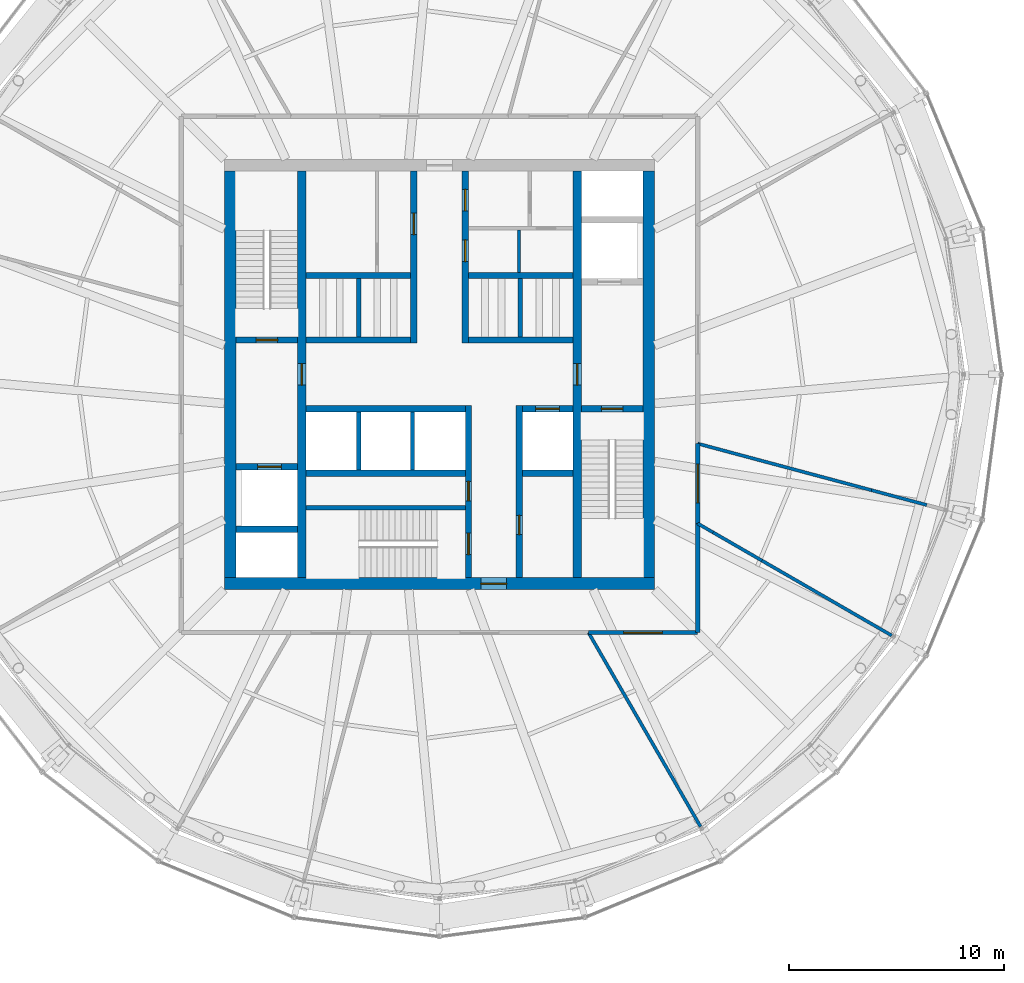
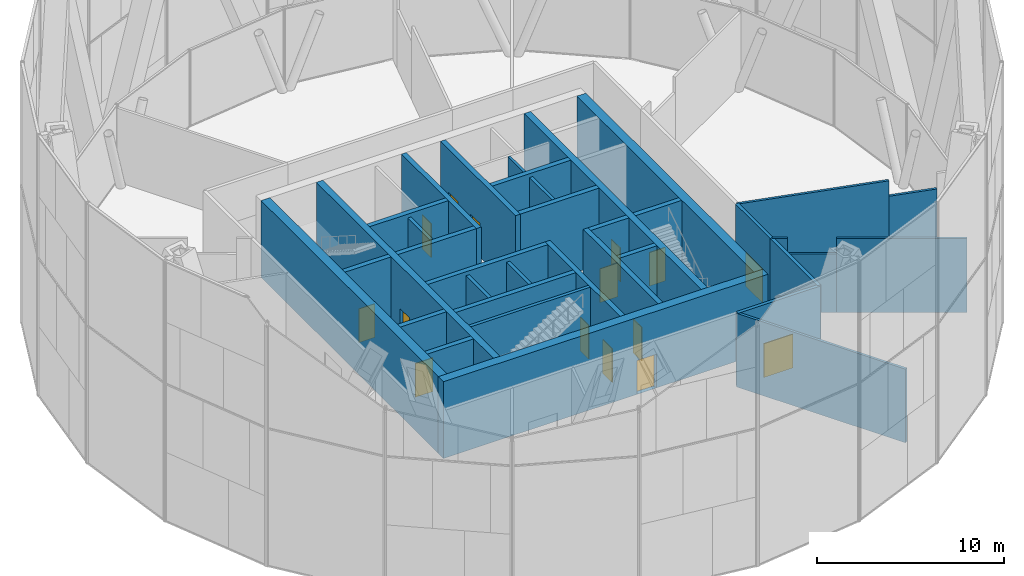
# One storey, part 14 of 17: 36 walls, 15 doors, 15 openings.
"""IFC4 building model written with IfcOpenShell, lengths in metres."""

from ifc_helpers import new_model, si_unit, direction, frame, frame_2d, origin, place, context, subcontext, project, spatial, rectangle, extrude, material, layer, layer_set, type_object, element, fill, save


model = new_model("IFC4")

# Units and contexts
model_context = context("Model", 3, precision=1e-05, world=origin(), true_north=direction((0.0, 1.0)))
body_context = subcontext(model_context, "Body", "Model", "MODEL_VIEW")
ifc_project = project(units=[si_unit("LENGTHUNIT", "METRE"), si_unit("AREAUNIT", "SQUARE_METRE"), si_unit("VOLUMEUNIT", "CUBIC_METRE"), si_unit("PLANEANGLEUNIT", "RADIAN"), si_unit("MASSUNIT", "GRAM", prefix="KILO")], contexts=[model_context])

# Site, building, storey
site_placement = place(None, origin())
site = spatial("IfcSite", under=ifc_project, at=site_placement, CompositionType="ELEMENT")
building_placement = place(site_placement, origin())
building = spatial("IfcBuilding", under=site, at=building_placement, Name="Golbaran Civic Tower", CompositionType="ELEMENT")
storey_placement = place(building_placement, frame((0.0, 0.0, 150.0)))
storey = spatial("IfcBuildingStorey", under=building, at=storey_placement, Name="L36", CompositionType="ELEMENT", Elevation=150.0)

# Wall
ifc_material_1 = material(Name="Concrete block", Category="concrete")
ifc_layer_1 = layer(ifc_material_1, 0.14990234375, Name="Concrete block")
ifc_layer_set_1 = layer_set([ifc_layer_1], Name="Concrete block")
wall_type_1 = type_object("IfcWallType", Name="BLOCKWORK PARTITION 150", PredefinedType="PARTITIONING", material=ifc_layer_set_1)
wall_1_placement = place(storey_placement, frame((3.699951171875, 4.75, 0.0), z_axis=(0.0, 0.0, 1.0), x_axis=(0.0, 1.0, 0.0)))
element("IfcWall", 1, at=wall_1_placement, inside=storey, type_object=wall_type_1, Name="Toilet block partition TN2 L36", PredefinedType="PARTITIONING", context=body_context, shape_type="SweptSolid", body=[
    extrude(rectangle(XDim=1.97509765625, YDim=0.14990234375, at=frame_2d((0.987548828125, 0.0))), origin(), (0.0, 0.0, 1.0), 4.75),
])

# Wall, opening, door
ifc_material_2 = material(Name="Concrete C50/60", Category="concrete")
ifc_layer_2 = layer(ifc_material_2, 0.39990234375, Name="Concrete C50/60")
ifc_layer_set_2 = layer_set([ifc_layer_2], Name="Concrete C50/60")
wall_type_2 = type_object("IfcWallType", Name="CORE WALL CONCRETE 400", PredefinedType="SOLIDWALL", material=ifc_layer_set_2)
wall_2_placement = place(storey_placement, frame((-6.39990234375, -9.449951171875, 0.0), z_axis=(0.0, 0.0, 1.0), x_axis=(0.0, 1.0, 0.0)))
wall_2 = element("IfcWall", 2, at=wall_2_placement, inside=storey, type_object=wall_type_2, Name="Core wall IW L36", PredefinedType="SOLIDWALL", context=body_context, shape_type="SweptSolid", body=[
    extrude(rectangle(XDim=18.89990234375, YDim=0.39990234375, at=frame_2d((9.449951171875, 0.0))), origin(), (0.0, 0.0, 1.0), 5.0),
])
opening_1_placement = place(wall_2_placement, frame((8.949951171875, 0.0, 0.0)))
opening_1 = element("IfcOpeningElement", 3, at=opening_1_placement, cuts=wall_2, Name="Opening L36.FL1", PredefinedType="OPENING", context=body_context, shape_type="SweptSolid", body=[
    extrude(rectangle(XDim=1.0, YDim=2.199951171875, at=frame_2d((0.5, 1.10009765625))), frame((0.0, 0.2099609375, 0.0), z_axis=(0.0, -1.0, 0.0), x_axis=(1.0, 0.0, 0.0)), (0.0, 0.0, 1.0), 0.419921875),
])
ifc_material_3 = material(Name="Timber door set in steel frame", Category="steel")
door_type_1 = type_object("IfcDoorType", Name="STAIR DOOR 1000x2200", OperationType="SINGLE_SWING_LEFT", PredefinedType="DOOR", material=ifc_material_3)
door_1_placement = place(opening_1_placement, origin())
door_1 = element("IfcDoor", 4, at=door_1_placement, inside=storey, type_object=door_type_1, Name="Fire-fighting lobby FL1 door", OperationType="SINGLE_SWING_LEFT", OverallHeight=2.199951171875, OverallWidth=1.0, PredefinedType="DOOR", context=body_context, shape_type="SweptSolid", body=[
    extrude(rectangle(XDim=1.0, YDim=2.199951171875, at=frame_2d((0.5, 1.10009765625))), frame((0.0, 0.02490234375, 0.0), z_axis=(0.0, -1.0, 0.0), x_axis=(1.0, 0.0, 0.0)), (0.0, 0.0, 1.0), 0.050048828125),
])
fill(opening_1, door_1)

wall_3_placement = place(storey_placement, frame((6.39990234375, 9.449951171875, 0.0), z_axis=(0.0, 0.0, 1.0), x_axis=(0.0, -1.0, 0.0)))
wall_3 = element("IfcWall", 5, at=wall_3_placement, inside=storey, type_object=wall_type_2, Name="Core wall IE L36", PredefinedType="SOLIDWALL", context=body_context, shape_type="SweptSolid", body=[
    extrude(rectangle(XDim=18.89990234375, YDim=0.39990234375, at=frame_2d((9.449951171875, 0.0))), origin(), (0.0, 0.0, 1.0), 5.0),
])
opening_2_placement = place(wall_3_placement, frame((8.949951171875, 0.0, 0.0)))
opening_2 = element("IfcOpeningElement", 6, at=opening_2_placement, cuts=wall_3, Name="Opening L36.FL2", PredefinedType="OPENING", context=body_context, shape_type="SweptSolid", body=[
    extrude(rectangle(XDim=1.0, YDim=2.199951171875, at=frame_2d((0.5, 1.10009765625))), frame((0.0, 0.2099609375, 0.0), z_axis=(0.0, -1.0, 0.0), x_axis=(1.0, 0.0, 0.0)), (0.0, 0.0, 1.0), 0.419921875),
])
door_2_placement = place(opening_2_placement, origin())
door_2 = element("IfcDoor", 7, at=door_2_placement, inside=storey, type_object=door_type_1, Name="Fire-fighting lobby FL2 door", OperationType="SINGLE_SWING_RIGHT", OverallHeight=2.199951171875, OverallWidth=1.0, PredefinedType="DOOR", context=body_context, shape_type="SweptSolid", body=[
    extrude(rectangle(XDim=1.0, YDim=2.199951171875, at=frame_2d((0.5, 1.10009765625))), frame((0.0, 0.02490234375, 0.0), z_axis=(0.0, -1.0, 0.0), x_axis=(1.0, 0.0, 0.0)), (0.0, 0.0, 1.0), 0.050048828125),
])
fill(opening_2, door_2)

ifc_layer_3 = layer(ifc_material_2, 0.550048828125, Name="Concrete C50/60")
ifc_layer_set_3 = layer_set([ifc_layer_3], Name="Concrete C50/60")
wall_type_3 = type_object("IfcWallType", Name="CORE WALL CONCRETE 550", PredefinedType="SOLIDWALL", material=ifc_layer_set_3)
wall_4_placement = place(storey_placement, frame((10.0, -9.72509765625, 0.0), z_axis=(0.0, 0.0, 1.0), x_axis=(-1.0, 0.0, 0.0)))
wall_4 = element("IfcWall", 8, at=wall_4_placement, inside=storey, type_object=wall_type_3, Name="Core wall CS L36", PredefinedType="SOLIDWALL", context=body_context, shape_type="SweptSolid", body=[
    extrude(rectangle(XDim=20.0, YDim=0.550048828125, at=frame_2d((10.0, 0.0))), origin(), (0.0, 0.0, 1.0), 5.0),
])
opening_3_placement = place(wall_4_placement, frame((6.875, 0.0, 0.0)))
opening_3 = element("IfcOpeningElement", 9, at=opening_3_placement, cuts=wall_4, Name="Opening L36.CS", PredefinedType="OPENING", context=body_context, shape_type="SweptSolid", body=[
    extrude(rectangle(XDim=1.199951171875, YDim=2.199951171875, at=frame_2d((0.60009765625, 1.10009765625))), frame((0.0, 0.284912109375, 0.0), z_axis=(0.0, -1.0, 0.0), x_axis=(1.0, 0.0, 0.0)), (0.0, 0.0, 1.0), 0.570068359375),
])
door_type_2 = type_object("IfcDoorType", Name="CORE DOOR 1200x2200", OperationType="DOUBLE_DOOR_SINGLE_SWING", PredefinedType="DOOR", material=ifc_material_3)
door_3_placement = place(opening_3_placement, origin())
door_3 = element("IfcDoor", 10, at=door_3_placement, inside=storey, type_object=door_type_2, Name="Core door south", OperationType="DOUBLE_DOOR_SINGLE_SWING", OverallHeight=2.199951171875, OverallWidth=1.199951171875, PredefinedType="DOOR", context=body_context, shape_type="SweptSolid", body=[
    extrude(rectangle(XDim=1.199951171875, YDim=2.199951171875, at=frame_2d((0.60009765625, 1.10009765625))), frame((0.0, 0.02490234375, 0.0), z_axis=(0.0, -1.0, 0.0), x_axis=(1.0, 0.0, 0.0)), (0.0, 0.0, 1.0), 0.050048828125),
])
fill(opening_3, door_3)

# Walls
for number, where, z_axis, x_axis, name in (
    (11, (9.72509765625, -9.449951171875, 0.0), (0.0, 0.0, 1.0), (0.0, 1.0, 0.0), "Core wall CE L36"),
    (12, (-9.72509765625, 9.449951171875, 0.0), (0.0, 0.0, 1.0), (0.0, -1.0, 0.0), "Core wall CW L36"),
):
    element("IfcWall", number, at=place(storey_placement, frame(where, z_axis=z_axis, x_axis=x_axis)), inside=storey, type_object=wall_type_3, Name=name, PredefinedType="SOLIDWALL", context=body_context, shape_type="SweptSolid", body=[
        extrude(rectangle(XDim=18.89990234375, YDim=0.550048828125, at=frame_2d((9.449951171875, 0.0))), origin(), (0.0, 0.0, 1.0), 5.0),
    ])

# Wall, opening, door
ifc_material_4 = material(Name="Gypsum board on steel studs, fire-rated", Category="steel")
ifc_layer_4 = layer(ifc_material_4, 0.199951171875, Name="Gypsum board on steel studs, fire-rated")
ifc_layer_set_4 = layer_set([ifc_layer_4], Name="Gypsum board on steel studs, fire-rated")
wall_type_4 = type_object("IfcWallType", Name="CORRIDOR WALL 200", PredefinedType="PARTITIONING", material=ifc_layer_set_4)
wall_5_placement = place(storey_placement, frame((12.0, -6.92822265625, 0.0), z_axis=(0.0, 0.0, 1.0), x_axis=(0.0, 1.0, 0.0)))
wall_5 = element("IfcWall", 13, at=wall_5_placement, inside=storey, type_object=wall_type_4, Name="Corridor wall L36", PredefinedType="PARTITIONING", context=body_context, shape_type="SweptSolid", body=[
    extrude(rectangle(XDim=3.712890625, YDim=0.199951171875, at=frame_2d((1.8564453125, 0.0))), origin(), (0.0, 0.0, 1.0), 4.800048828125),
])
opening_4_placement = place(wall_5_placement, frame((0.956298828125, 0.0, 0.0)))
opening_4 = element("IfcOpeningElement", 14, at=opening_4_placement, cuts=wall_5, Name="Opening L36.02", PredefinedType="OPENING", context=body_context, shape_type="SweptSolid", body=[
    extrude(rectangle(XDim=1.800048828125, YDim=2.199951171875, at=frame_2d((0.89990234375, 1.10009765625))), frame((0.0, 0.10986328125, 0.0), z_axis=(0.0, -1.0, 0.0), x_axis=(1.0, 0.0, 0.0)), (0.0, 0.0, 1.0), 0.219970703125),
])
door_type_3 = type_object("IfcDoorType", Name="OFFICE DOUBLE DOOR 1800x2200", OperationType="DOUBLE_DOOR_SINGLE_SWING", PredefinedType="DOOR", material=ifc_material_3)
door_4_placement = place(opening_4_placement, origin())
door_4 = element("IfcDoor", 15, at=door_4_placement, inside=storey, type_object=door_type_3, Name="Refuge Area door L36", OperationType="DOUBLE_DOOR_SINGLE_SWING", OverallHeight=2.199951171875, OverallWidth=1.800048828125, PredefinedType="DOOR", context=body_context, shape_type="SweptSolid", body=[
    extrude(rectangle(XDim=1.800048828125, YDim=2.199951171875, at=frame_2d((0.89990234375, 1.10009765625))), frame((0.0, 0.02490234375, 0.0), z_axis=(0.0, -1.0, 0.0), x_axis=(1.0, 0.0, 0.0)), (0.0, 0.0, 1.0), 0.050048828125),
])
fill(opening_4, door_4)

wall_6_placement = place(storey_placement, frame((6.92822265625, -12.0, 0.0), z_axis=(0.0, 0.0, 1.0), x_axis=(1.0, 0.0, 0.0)))
wall_6 = element("IfcWall", 16, at=wall_6_placement, inside=storey, type_object=wall_type_4, Name="Corridor wall L36", PredefinedType="PARTITIONING", context=body_context, shape_type="SweptSolid", body=[
    extrude(rectangle(XDim=5.07177734375, YDim=0.199951171875, at=frame_2d((2.535888671875, 0.0))), origin(), (0.0, 0.0, 1.0), 4.800048828125),
])
opening_5_placement = place(wall_6_placement, frame((1.635986328125, 0.0, 0.0)))
opening_5 = element("IfcOpeningElement", 17, at=opening_5_placement, cuts=wall_6, Name="Opening L36.13", PredefinedType="OPENING", context=body_context, shape_type="SweptSolid", body=[
    extrude(rectangle(XDim=1.800048828125, YDim=2.199951171875, at=frame_2d((0.89990234375, 1.10009765625))), frame((0.0, 0.10986328125, 0.0), z_axis=(0.0, -1.0, 0.0), x_axis=(1.0, 0.0, 0.0)), (0.0, 0.0, 1.0), 0.219970703125),
])
door_5_placement = place(opening_5_placement, origin())
door_5 = element("IfcDoor", 18, at=door_5_placement, inside=storey, type_object=door_type_3, Name="Refuge Area door L36", OperationType="DOUBLE_DOOR_SINGLE_SWING", OverallHeight=2.199951171875, OverallWidth=1.800048828125, PredefinedType="DOOR", context=body_context, shape_type="SweptSolid", body=[
    extrude(rectangle(XDim=1.800048828125, YDim=2.199951171875, at=frame_2d((0.89990234375, 1.10009765625))), frame((0.0, 0.02490234375, 0.0), z_axis=(0.0, -1.0, 0.0), x_axis=(1.0, 0.0, 0.0)), (0.0, 0.0, 1.0), 0.050048828125),
])
fill(opening_5, door_5)

# Walls
wall_7_placement = place(storey_placement, frame((12.0, -12.0, 0.0), z_axis=(0.0, 0.0, 1.0), x_axis=(0.0, 1.0, 0.0)))
element("IfcWall", 19, at=wall_7_placement, inside=storey, type_object=wall_type_4, Name="Corridor wall L36", PredefinedType="PARTITIONING", context=body_context, shape_type="SweptSolid", body=[
    extrude(rectangle(XDim=5.07177734375, YDim=0.199951171875, at=frame_2d((2.535888671875, 0.0))), origin(), (0.0, 0.0, 1.0), 4.800048828125),
])
ifc_layer_5 = layer(ifc_material_1, 0.199951171875, Name="Concrete block")
ifc_layer_set_5 = layer_set([ifc_layer_5], Name="Concrete block")
wall_type_5 = type_object("IfcWallType", Name="LIFT SEPARATOR WALL 200", PredefinedType="SOLIDWALL", material=ifc_layer_set_5)
for number, where, z_axis, x_axis, name in (
    (20, (-3.75, 1.75, 0.0), (0.0, 0.0, 1.0), (0.0, 1.0, 0.0), "Core partition SNW L36"),
    (21, (3.75, 1.75, 0.0), (0.0, 0.0, 1.0), (0.0, 1.0, 0.0), "Core partition SNE L36"),
    (22, (-3.75, -1.75, 0.0), (0.0, 0.0, 1.0), (0.0, -1.0, 0.0), "Core partition SSW L36"),
    (23, (-1.25, -1.75, 0.0), (0.0, 0.0, 1.0), (0.0, -1.0, 0.0), "Core partition SSM L36"),
):
    element("IfcWall", number, at=place(storey_placement, frame(where, z_axis=z_axis, x_axis=x_axis)), inside=storey, type_object=wall_type_5, Name=name, PredefinedType="SOLIDWALL", context=body_context, shape_type="SweptSolid", body=[
        extrude(rectangle(XDim=2.699951171875, YDim=0.199951171875, at=frame_2d((1.35009765625, 0.0))), origin(), (0.0, 0.0, 1.0), 4.75),
    ])
ifc_material_5 = material(Name="Gypsum board on steel studs", Category="steel")
ifc_layer_6 = layer(ifc_material_5, 0.14990234375, Name="Gypsum board on steel studs")
ifc_layer_set_6 = layer_set([ifc_layer_6], Name="Gypsum board on steel studs")
wall_type_6 = type_object("IfcWallType", Name="OFFICE PARTITION 150", PredefinedType="PARTITIONING", material=ifc_layer_set_6)
wall_8_placement = place(storey_placement, frame((12.0, -6.92822265625, 0.0), z_axis=(0.0, 0.0, 1.0), x_axis=(0.86608282171, -0.499900536046, 0.0)))
element("IfcWall", 24, at=wall_8_placement, inside=storey, type_object=wall_type_6, Name="Partition 330 L36", PredefinedType="PARTITIONING", context=body_context, shape_type="SweptSolid", body=[
    extrude(rectangle(XDim=0.830810546875, YDim=0.14990234375, at=frame_2d((0.41552734375, 0.0))), origin(), (0.0, 0.0, 1.0), 4.800048828125),
])
wall_9_placement = place(storey_placement, frame((12.719482421875, -7.343505859375, 0.0), z_axis=(0.0, 0.0, 1.0), x_axis=(0.866002361659, -0.500039908008, 0.0)))
element("IfcWall", 25, at=wall_9_placement, inside=storey, type_object=wall_type_6, Name="Partition 330 L36 (part 2)", PredefinedType="PARTITIONING", context=body_context, shape_type="SweptSolid", body=[
    extrude(rectangle(XDim=2.618408203125, YDim=0.14990234375, at=frame_2d((1.30908203125, 0.0))), origin(), (0.0, 0.0, 1.0), 3.7900390625),
])
wall_10_placement = place(storey_placement, frame((14.987060546875, -8.65283203125, 0.0), z_axis=(0.0, 0.0, 1.0), x_axis=(0.86602409414, -0.500002268364, 0.0)))
element("IfcWall", 26, at=wall_10_placement, inside=storey, type_object=wall_type_6, Name="Partition 330 L36 (part 3)", PredefinedType="PARTITIONING", context=body_context, shape_type="SweptSolid", body=[
    extrude(rectangle(XDim=6.9736328125, YDim=0.14990234375, at=frame_2d((3.48681640625, 0.0))), origin(), (0.0, 0.0, 1.0), 4.800048828125),
])
wall_11_placement = place(storey_placement, frame((12.0, -3.21533203125, 0.0), z_axis=(0.0, 0.0, 1.0), x_axis=(0.965920824038, -0.258837713037, 0.0)))
element("IfcWall", 27, at=wall_11_placement, inside=storey, type_object=wall_type_6, Name="Partition 345 L36", PredefinedType="PARTITIONING", context=body_context, shape_type="SweptSolid", body=[
    extrude(rectangle(XDim=8.365478515625, YDim=0.14990234375, at=frame_2d((4.1826171875, 0.0))), origin(), (0.0, 0.0, 1.0), 4.800048828125),
])
wall_12_placement = place(storey_placement, frame((20.080322265625, -5.380615234375, 0.0), z_axis=(0.0, 0.0, 1.0), x_axis=(0.965936190415, -0.258780362559, 0.0)))
element("IfcWall", 28, at=wall_12_placement, inside=storey, type_object=wall_type_6, Name="Partition 345 L36 (part 2)", PredefinedType="PARTITIONING", context=body_context, shape_type="SweptSolid", body=[
    extrude(rectangle(XDim=2.664306640625, YDim=0.14990234375, at=frame_2d((1.33203125, 0.0))), origin(), (0.0, 0.0, 1.0), 3.7900390625),
])
wall_13_placement = place(storey_placement, frame((6.92822265625, -12.0, 0.0), z_axis=(0.0, 0.0, 1.0), x_axis=(0.500003616288, -0.866023315909, 0.0)))
element("IfcWall", 29, at=wall_13_placement, inside=storey, type_object=wall_type_6, Name="Partition 300 L36", PredefinedType="PARTITIONING", context=body_context, shape_type="SweptSolid", body=[
    extrude(rectangle(XDim=10.4228515625, YDim=0.14990234375, at=frame_2d((5.21142578125, 0.0))), origin(), (0.0, 0.0, 1.0), 4.800048828125),
])
ifc_layer_7 = layer(ifc_material_2, 0.199951171875, Name="Concrete C50/60")
ifc_layer_set_7 = layer_set([ifc_layer_7], Name="Concrete C50/60")
wall_type_7 = type_object("IfcWallType", Name="SHAFT WALL CONCRETE 200", PredefinedType="SOLIDWALL", material=ifc_layer_set_7)
wall_14_placement = place(storey_placement, frame((-6.199951171875, -6.199951171875, 0.0), z_axis=(0.0, 0.0, 1.0), x_axis=(1.0, 0.0, 0.0)))
element("IfcWall", 30, at=wall_14_placement, inside=storey, type_object=wall_type_7, Name="Core wall S3N L36", PredefinedType="SOLIDWALL", context=body_context, shape_type="SweptSolid", body=[
    extrude(rectangle(XDim=7.39990234375, YDim=0.199951171875, at=frame_2d((3.699951171875, 0.0))), origin(), (0.0, 0.0, 1.0), 5.0),
])
ifc_layer_8 = layer(ifc_material_2, 0.300048828125, Name="Concrete C50/60")
ifc_layer_set_8 = layer_set([ifc_layer_8], Name="Concrete C50/60")
wall_type_8 = type_object("IfcWallType", Name="SHAFT WALL CONCRETE 300", PredefinedType="SOLIDWALL", material=ifc_layer_set_8)
for number, where, z_axis, x_axis, name in (
    (31, (-6.199951171875, 1.60009765625, 0.0), (0.0, 0.0, 1.0), (1.0, 0.0, 0.0), "Core wall FNW L36"),
    (32, (1.35009765625, 1.60009765625, 0.0), (0.0, 0.0, 1.0), (1.0, 0.0, 0.0), "Core wall FNE L36"),
    (33, (-6.199951171875, 4.60009765625, 0.0), (0.0, 0.0, 1.0), (1.0, 0.0, 0.0), "Core wall BNW L36"),
    (34, (1.35009765625, 4.60009765625, 0.0), (0.0, 0.0, 1.0), (1.0, 0.0, 0.0), "Core wall BNE L36"),
):
    element("IfcWall", number, at=place(storey_placement, frame(where, z_axis=z_axis, x_axis=x_axis)), inside=storey, type_object=wall_type_8, Name=name, PredefinedType="SOLIDWALL", context=body_context, shape_type="SweptSolid", body=[
        extrude(rectangle(XDim=4.849853515625, YDim=0.300048828125, at=frame_2d((2.4248046875, 0.0))), origin(), (0.0, 0.0, 1.0), 5.0),
    ])

# Wall, opening, door
wall_15_placement = place(storey_placement, frame((-1.199951171875, 1.449951171875, 0.0), z_axis=(0.0, 0.0, 1.0), x_axis=(0.0, 1.0, 0.0)))
wall_15 = element("IfcWall", 35, at=wall_15_placement, inside=storey, type_object=wall_type_8, Name="Core wall PNW L36", PredefinedType="SOLIDWALL", context=body_context, shape_type="SweptSolid", body=[
    extrude(rectangle(XDim=8.0, YDim=0.300048828125, at=frame_2d((4.0, 0.0))), origin(), (0.0, 0.0, 1.0), 5.0),
])
opening_6_placement = place(wall_15_placement, frame((5.050048828125, 0.0, 0.0)))
opening_6 = element("IfcOpeningElement", 36, at=opening_6_placement, cuts=wall_15, Name="Opening L36.WCM", PredefinedType="OPENING", context=body_context, shape_type="SweptSolid", body=[
    extrude(rectangle(XDim=1.0, YDim=2.199951171875, at=frame_2d((0.5, 1.10009765625))), frame((0.0, 0.159912109375, 0.0), z_axis=(0.0, -1.0, 0.0), x_axis=(1.0, 0.0, 0.0)), (0.0, 0.0, 1.0), 0.320068359375),
])
door_type_4 = type_object("IfcDoorType", Name="TOILET DOOR 1000x2200", OperationType="SINGLE_SWING_LEFT", PredefinedType="DOOR", material=ifc_material_3)
door_6_placement = place(opening_6_placement, origin())
door_6 = element("IfcDoor", 37, at=door_6_placement, inside=storey, type_object=door_type_4, Name="North-west toilet block door", OperationType="SINGLE_SWING_RIGHT", OverallHeight=2.199951171875, OverallWidth=1.0, PredefinedType="DOOR", context=body_context, shape_type="SweptSolid", body=[
    extrude(rectangle(XDim=1.0, YDim=2.199951171875, at=frame_2d((0.5, 1.10009765625))), frame((0.0, 0.02490234375, 0.0), z_axis=(0.0, -1.0, 0.0), x_axis=(1.0, 0.0, 0.0)), (0.0, 0.0, 1.0), 0.050048828125),
])
fill(opening_6, door_6)

# Wall, openings, doors
wall_16_placement = place(storey_placement, frame((1.199951171875, 1.449951171875, 0.0), z_axis=(0.0, 0.0, 1.0), x_axis=(0.0, 1.0, 0.0)))
wall_16 = element("IfcWall", 38, at=wall_16_placement, inside=storey, type_object=wall_type_8, Name="Core wall PNE L36", PredefinedType="SOLIDWALL", context=body_context, shape_type="SweptSolid", body=[
    extrude(rectangle(XDim=8.0, YDim=0.300048828125, at=frame_2d((4.0, 0.0))), origin(), (0.0, 0.0, 1.0), 5.0),
])
opening_7_placement = place(wall_16_placement, frame((3.800048828125, 0.0, 0.0)))
opening_7 = element("IfcOpeningElement", 39, at=opening_7_placement, cuts=wall_16, Name="Opening L36.WCA", PredefinedType="OPENING", context=body_context, shape_type="SweptSolid", body=[
    extrude(rectangle(XDim=1.0, YDim=2.199951171875, at=frame_2d((0.5, 1.10009765625))), frame((0.0, 0.159912109375, 0.0), z_axis=(0.0, -1.0, 0.0), x_axis=(1.0, 0.0, 0.0)), (0.0, 0.0, 1.0), 0.320068359375),
])
opening_8_placement = place(wall_16_placement, frame((6.14990234375, 0.0, 0.0)))
opening_8 = element("IfcOpeningElement", 40, at=opening_8_placement, cuts=wall_16, Name="Opening L36.WCF", PredefinedType="OPENING", context=body_context, shape_type="SweptSolid", body=[
    extrude(rectangle(XDim=1.0, YDim=2.199951171875, at=frame_2d((0.5, 1.10009765625))), frame((0.0, 0.159912109375, 0.0), z_axis=(0.0, -1.0, 0.0), x_axis=(1.0, 0.0, 0.0)), (0.0, 0.0, 1.0), 0.320068359375),
])
door_7_placement = place(opening_7_placement, origin())
door_7 = element("IfcDoor", 41, at=door_7_placement, inside=storey, type_object=door_type_4, Name="Accessible WC door", OperationType="SINGLE_SWING_RIGHT", OverallHeight=2.199951171875, OverallWidth=1.0, PredefinedType="DOOR", context=body_context, shape_type="SweptSolid", body=[
    extrude(rectangle(XDim=1.0, YDim=2.199951171875, at=frame_2d((0.5, 1.10009765625))), frame((0.0, 0.02490234375, 0.0), z_axis=(0.0, -1.0, 0.0), x_axis=(1.0, 0.0, 0.0)), (0.0, 0.0, 1.0), 0.050048828125),
])
fill(opening_7, door_7)
door_8_placement = place(opening_8_placement, origin())
door_8 = element("IfcDoor", 42, at=door_8_placement, inside=storey, type_object=door_type_4, Name="North-east toilet block door", OperationType="SINGLE_SWING_RIGHT", OverallHeight=2.199951171875, OverallWidth=1.0, PredefinedType="DOOR", context=body_context, shape_type="SweptSolid", body=[
    extrude(rectangle(XDim=1.0, YDim=2.199951171875, at=frame_2d((0.5, 1.10009765625))), frame((0.0, 0.02490234375, 0.0), z_axis=(0.0, -1.0, 0.0), x_axis=(1.0, 0.0, 0.0)), (0.0, 0.0, 1.0), 0.050048828125),
])
fill(opening_8, door_8)

# Wall
wall_17_placement = place(storey_placement, frame((-6.199951171875, -1.60009765625, 0.0), z_axis=(0.0, 0.0, 1.0), x_axis=(1.0, 0.0, 0.0)))
element("IfcWall", 43, at=wall_17_placement, inside=storey, type_object=wall_type_8, Name="Core wall FSW L36", PredefinedType="SOLIDWALL", context=body_context, shape_type="SweptSolid", body=[
    extrude(rectangle(XDim=7.39990234375, YDim=0.300048828125, at=frame_2d((3.699951171875, 0.0))), origin(), (0.0, 0.0, 1.0), 5.0),
])

# Wall, opening, door
wall_18_placement = place(storey_placement, frame((3.85009765625, -1.60009765625, 0.0), z_axis=(0.0, 0.0, 1.0), x_axis=(1.0, 0.0, 0.0)))
wall_18 = element("IfcWall", 44, at=wall_18_placement, inside=storey, type_object=wall_type_8, Name="Core wall FSE L36", PredefinedType="SOLIDWALL", context=body_context, shape_type="SweptSolid", body=[
    extrude(rectangle(XDim=2.349853515625, YDim=0.300048828125, at=frame_2d((1.1748046875, 0.0))), origin(), (0.0, 0.0, 1.0), 5.0),
])
opening_9_placement = place(wall_18_placement, frame((0.625, 0.0, 0.0)))
opening_9 = element("IfcOpeningElement", 45, at=opening_9_placement, cuts=wall_18, Name="Opening L36.LD-V1", PredefinedType="OPENING", context=body_context, shape_type="SweptSolid", body=[
    extrude(rectangle(XDim=1.10009765625, YDim=2.199951171875, at=frame_2d((0.550048828125, 1.10009765625))), frame((0.0, 0.159912109375, 0.0), z_axis=(0.0, -1.0, 0.0), x_axis=(1.0, 0.0, 0.0)), (0.0, 0.0, 1.0), 0.320068359375),
])
ifc_material_6 = material(Name="Stainless steel", Category="steel")
door_type_5 = type_object("IfcDoorType", Name="LIFT LANDING DOOR 1100x2200", OperationType="SLIDING_TO_LEFT", PredefinedType="DOOR", material=ifc_material_6)
door_9_placement = place(opening_9_placement, origin())
door_9 = element("IfcDoor", 46, at=door_9_placement, inside=storey, type_object=door_type_5, Name="Lift landing door V1", OperationType="SLIDING_TO_LEFT", OverallHeight=2.199951171875, OverallWidth=1.10009765625, PredefinedType="DOOR", context=body_context, shape_type="SweptSolid", body=[
    extrude(rectangle(XDim=1.10009765625, YDim=2.199951171875, at=frame_2d((0.550048828125, 1.10009765625))), frame((0.0, 0.02490234375, 0.0), z_axis=(0.0, -1.0, 0.0), x_axis=(1.0, 0.0, 0.0)), (0.0, 0.0, 1.0), 0.050048828125),
])
fill(opening_9, door_9)

# Walls
wall_19_placement = place(storey_placement, frame((-6.199951171875, -4.60009765625, 0.0), z_axis=(0.0, 0.0, 1.0), x_axis=(1.0, 0.0, 0.0)))
element("IfcWall", 47, at=wall_19_placement, inside=storey, type_object=wall_type_8, Name="Core wall BSW L36", PredefinedType="SOLIDWALL", context=body_context, shape_type="SweptSolid", body=[
    extrude(rectangle(XDim=7.39990234375, YDim=0.300048828125, at=frame_2d((3.699951171875, 0.0))), origin(), (0.0, 0.0, 1.0), 5.0),
])
wall_20_placement = place(storey_placement, frame((3.85009765625, -4.60009765625, 0.0), z_axis=(0.0, 0.0, 1.0), x_axis=(1.0, 0.0, 0.0)))
element("IfcWall", 48, at=wall_20_placement, inside=storey, type_object=wall_type_8, Name="Core wall BSE L36", PredefinedType="SOLIDWALL", context=body_context, shape_type="SweptSolid", body=[
    extrude(rectangle(XDim=2.349853515625, YDim=0.300048828125, at=frame_2d((1.1748046875, 0.0))), origin(), (0.0, 0.0, 1.0), 5.0),
])

# Wall, openings, doors
wall_21_placement = place(storey_placement, frame((1.35009765625, -1.449951171875, 0.0), z_axis=(0.0, 0.0, 1.0), x_axis=(0.0, -1.0, 0.0)))
wall_21 = element("IfcWall", 49, at=wall_21_placement, inside=storey, type_object=wall_type_8, Name="Core wall PSW L36", PredefinedType="SOLIDWALL", context=body_context, shape_type="SweptSolid", body=[
    extrude(rectangle(XDim=8.0, YDim=0.300048828125, at=frame_2d((4.0, 0.0))), origin(), (0.0, 0.0, 1.0), 5.0),
])
opening_10_placement = place(wall_21_placement, frame((5.925048828125, 0.0, 0.0)))
opening_10 = element("IfcOpeningElement", 50, at=opening_10_placement, cuts=wall_21, Name="Opening L36.S3", PredefinedType="OPENING", context=body_context, shape_type="SweptSolid", body=[
    extrude(rectangle(XDim=1.0, YDim=2.199951171875, at=frame_2d((0.5, 1.10009765625))), frame((0.0, 0.159912109375, 0.0), z_axis=(0.0, -1.0, 0.0), x_axis=(1.0, 0.0, 0.0)), (0.0, 0.0, 1.0), 0.320068359375),
])
opening_11_placement = place(wall_21_placement, frame((3.52490234375, 0.0, 0.0)))
opening_11 = element("IfcOpeningElement", 51, at=opening_11_placement, cuts=wall_21, Name="Opening L36.RE", PredefinedType="OPENING", context=body_context, shape_type="SweptSolid", body=[
    extrude(rectangle(XDim=0.89990234375, YDim=2.199951171875, at=frame_2d((0.449951171875, 1.10009765625))), frame((0.0, 0.159912109375, 0.0), z_axis=(0.0, -1.0, 0.0), x_axis=(1.0, 0.0, 0.0)), (0.0, 0.0, 1.0), 0.320068359375),
])
door_type_6 = type_object("IfcDoorType", Name="RISER DOOR 900x2200", OperationType="SINGLE_SWING_LEFT", PredefinedType="DOOR", material=ifc_material_3)
door_10_placement = place(opening_11_placement, origin())
door_10 = element("IfcDoor", 52, at=door_10_placement, inside=storey, type_object=door_type_6, Name="Electrical riser door", OperationType="SINGLE_SWING_LEFT", OverallHeight=2.199951171875, OverallWidth=0.89990234375, PredefinedType="DOOR", context=body_context, shape_type="SweptSolid", body=[
    extrude(rectangle(XDim=0.89990234375, YDim=2.199951171875, at=frame_2d((0.449951171875, 1.10009765625))), frame((0.0, 0.02490234375, 0.0), z_axis=(0.0, -1.0, 0.0), x_axis=(1.0, 0.0, 0.0)), (0.0, 0.0, 1.0), 0.050048828125),
])
fill(opening_11, door_10)
door_11_placement = place(opening_10_placement, origin())
door_11 = element("IfcDoor", 53, at=door_11_placement, inside=storey, type_object=door_type_1, Name="Stair S3 door", OperationType="SINGLE_SWING_RIGHT", OverallHeight=2.199951171875, OverallWidth=1.0, PredefinedType="DOOR", context=body_context, shape_type="SweptSolid", body=[
    extrude(rectangle(XDim=1.0, YDim=2.199951171875, at=frame_2d((0.5, 1.10009765625))), frame((0.0, 0.02490234375, 0.0), z_axis=(0.0, -1.0, 0.0), x_axis=(1.0, 0.0, 0.0)), (0.0, 0.0, 1.0), 0.050048828125),
])
fill(opening_10, door_11)

# Wall, opening, door
wall_22_placement = place(storey_placement, frame((3.699951171875, -1.449951171875, 0.0), z_axis=(0.0, 0.0, 1.0), x_axis=(0.0, -1.0, 0.0)))
wall_22 = element("IfcWall", 54, at=wall_22_placement, inside=storey, type_object=wall_type_8, Name="Core wall PSE L36", PredefinedType="SOLIDWALL", context=body_context, shape_type="SweptSolid", body=[
    extrude(rectangle(XDim=8.0, YDim=0.300048828125, at=frame_2d((4.0, 0.0))), origin(), (0.0, 0.0, 1.0), 5.0),
])
opening_12_placement = place(wall_22_placement, frame((5.10009765625, 0.0, 0.0)))
opening_12 = element("IfcOpeningElement", 55, at=opening_12_placement, cuts=wall_22, Name="Opening L36.RM", PredefinedType="OPENING", context=body_context, shape_type="SweptSolid", body=[
    extrude(rectangle(XDim=0.89990234375, YDim=2.199951171875, at=frame_2d((0.449951171875, 1.10009765625))), frame((0.0, 0.159912109375, 0.0), z_axis=(0.0, -1.0, 0.0), x_axis=(1.0, 0.0, 0.0)), (0.0, 0.0, 1.0), 0.320068359375),
])
door_12_placement = place(opening_12_placement, origin())
door_12 = element("IfcDoor", 56, at=door_12_placement, inside=storey, type_object=door_type_6, Name="Mechanical riser door", OperationType="SINGLE_SWING_RIGHT", OverallHeight=2.199951171875, OverallWidth=0.89990234375, PredefinedType="DOOR", context=body_context, shape_type="SweptSolid", body=[
    extrude(rectangle(XDim=0.89990234375, YDim=2.199951171875, at=frame_2d((0.449951171875, 1.10009765625))), frame((0.0, 0.02490234375, 0.0), z_axis=(0.0, -1.0, 0.0), x_axis=(1.0, 0.0, 0.0)), (0.0, 0.0, 1.0), 0.050048828125),
])
fill(opening_12, door_12)

wall_23_placement = place(storey_placement, frame((-9.449951171875, 1.60009765625, 0.0), z_axis=(0.0, 0.0, 1.0), x_axis=(1.0, 0.0, 0.0)))
wall_23 = element("IfcWall", 57, at=wall_23_placement, inside=storey, type_object=wall_type_8, Name="Core wall XW1 L36", PredefinedType="SOLIDWALL", context=body_context, shape_type="SweptSolid", body=[
    extrude(rectangle(XDim=2.849853515625, YDim=0.300048828125, at=frame_2d((1.4248046875, 0.0))), origin(), (0.0, 0.0, 1.0), 5.0),
])
opening_13_placement = place(wall_23_placement, frame((0.925048828125, 0.0, 0.0)))
opening_13 = element("IfcOpeningElement", 58, at=opening_13_placement, cuts=wall_23, Name="Opening L36.S1", PredefinedType="OPENING", context=body_context, shape_type="SweptSolid", body=[
    extrude(rectangle(XDim=1.0, YDim=2.199951171875, at=frame_2d((0.5, 1.10009765625))), frame((0.0, 0.159912109375, 0.0), z_axis=(0.0, -1.0, 0.0), x_axis=(1.0, 0.0, 0.0)), (0.0, 0.0, 1.0), 0.320068359375),
])
door_13_placement = place(opening_13_placement, origin())
door_13 = element("IfcDoor", 59, at=door_13_placement, inside=storey, type_object=door_type_1, Name="Stair S1 door", OperationType="SINGLE_SWING_LEFT", OverallHeight=2.199951171875, OverallWidth=1.0, PredefinedType="DOOR", context=body_context, shape_type="SweptSolid", body=[
    extrude(rectangle(XDim=1.0, YDim=2.199951171875, at=frame_2d((0.5, 1.10009765625))), frame((0.0, 0.02490234375, 0.0), z_axis=(0.0, -1.0, 0.0), x_axis=(1.0, 0.0, 0.0)), (0.0, 0.0, 1.0), 0.050048828125),
])
fill(opening_13, door_13)

wall_24_placement = place(storey_placement, frame((6.60009765625, -1.60009765625, 0.0), z_axis=(0.0, 0.0, 1.0), x_axis=(1.0, 0.0, 0.0)))
wall_24 = element("IfcWall", 60, at=wall_24_placement, inside=storey, type_object=wall_type_8, Name="Core wall XE1 L36", PredefinedType="SOLIDWALL", context=body_context, shape_type="SweptSolid", body=[
    extrude(rectangle(XDim=2.849853515625, YDim=0.300048828125, at=frame_2d((1.4248046875, 0.0))), origin(), (0.0, 0.0, 1.0), 5.0),
])
opening_14_placement = place(wall_24_placement, frame((0.925048828125, 0.0, 0.0)))
opening_14 = element("IfcOpeningElement", 61, at=opening_14_placement, cuts=wall_24, Name="Opening L36.S2", PredefinedType="OPENING", context=body_context, shape_type="SweptSolid", body=[
    extrude(rectangle(XDim=1.0, YDim=2.199951171875, at=frame_2d((0.5, 1.10009765625))), frame((0.0, 0.159912109375, 0.0), z_axis=(0.0, -1.0, 0.0), x_axis=(1.0, 0.0, 0.0)), (0.0, 0.0, 1.0), 0.320068359375),
])
door_14_placement = place(opening_14_placement, origin())
door_14 = element("IfcDoor", 62, at=door_14_placement, inside=storey, type_object=door_type_1, Name="Stair S2 door", OperationType="SINGLE_SWING_LEFT", OverallHeight=2.199951171875, OverallWidth=1.0, PredefinedType="DOOR", context=body_context, shape_type="SweptSolid", body=[
    extrude(rectangle(XDim=1.0, YDim=2.199951171875, at=frame_2d((0.5, 1.10009765625))), frame((0.0, 0.02490234375, 0.0), z_axis=(0.0, -1.0, 0.0), x_axis=(1.0, 0.0, 0.0)), (0.0, 0.0, 1.0), 0.050048828125),
])
fill(opening_14, door_14)

wall_25_placement = place(storey_placement, frame((-9.449951171875, -4.300048828125, 0.0), z_axis=(0.0, 0.0, 1.0), x_axis=(1.0, 0.0, 0.0)))
wall_25 = element("IfcWall", 63, at=wall_25_placement, inside=storey, type_object=wall_type_8, Name="Core wall XW2 L36", PredefinedType="SOLIDWALL", context=body_context, shape_type="SweptSolid", body=[
    extrude(rectangle(XDim=2.849853515625, YDim=0.300048828125, at=frame_2d((1.4248046875, 0.0))), origin(), (0.0, 0.0, 1.0), 5.0),
])
opening_15_placement = place(wall_25_placement, frame((1.0, 0.0, 0.0)))
opening_15 = element("IfcOpeningElement", 64, at=opening_15_placement, cuts=wall_25, Name="Opening L36.LD-F1", PredefinedType="OPENING", context=body_context, shape_type="SweptSolid", body=[
    extrude(rectangle(XDim=1.10009765625, YDim=2.199951171875, at=frame_2d((0.550048828125, 1.10009765625))), frame((0.0, 0.159912109375, 0.0), z_axis=(0.0, -1.0, 0.0), x_axis=(1.0, 0.0, 0.0)), (0.0, 0.0, 1.0), 0.320068359375),
])
door_15_placement = place(opening_15_placement, origin())
door_15 = element("IfcDoor", 65, at=door_15_placement, inside=storey, type_object=door_type_5, Name="Lift landing door F1", OperationType="SLIDING_TO_LEFT", OverallHeight=2.199951171875, OverallWidth=1.10009765625, PredefinedType="DOOR", context=body_context, shape_type="SweptSolid", body=[
    extrude(rectangle(XDim=1.10009765625, YDim=2.199951171875, at=frame_2d((0.550048828125, 1.10009765625))), frame((0.0, 0.02490234375, 0.0), z_axis=(0.0, -1.0, 0.0), x_axis=(1.0, 0.0, 0.0)), (0.0, 0.0, 1.0), 0.050048828125),
])
fill(opening_15, door_15)

# Wall
wall_26_placement = place(storey_placement, frame((-9.449951171875, -7.199951171875, 0.0), z_axis=(0.0, 0.0, 1.0), x_axis=(1.0, 0.0, 0.0)))
element("IfcWall", 66, at=wall_26_placement, inside=storey, type_object=wall_type_8, Name="Core wall XW3 L36", PredefinedType="SOLIDWALL", context=body_context, shape_type="SweptSolid", body=[
    extrude(rectangle(XDim=2.849853515625, YDim=0.300048828125, at=frame_2d((1.4248046875, 0.0))), origin(), (0.0, 0.0, 1.0), 5.0),
])

save(model, "model.ifc")
